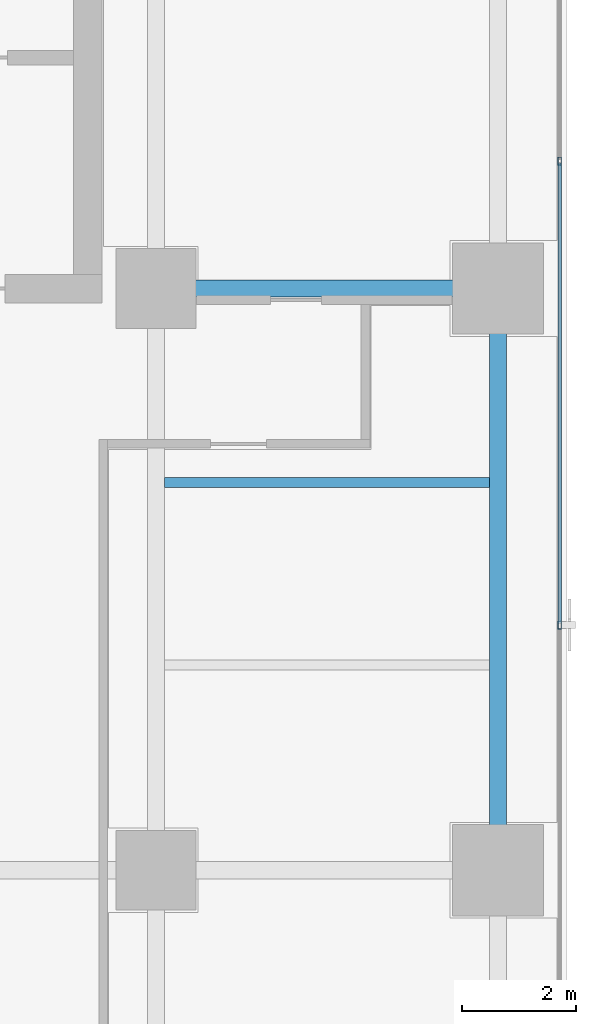
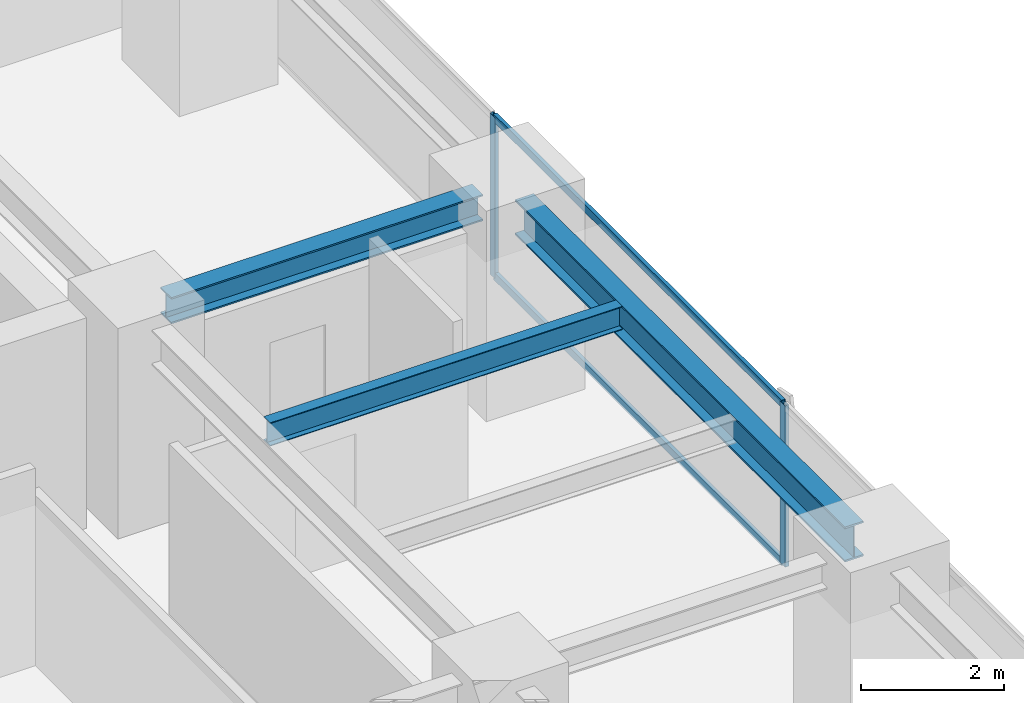
# One storey, part 17 of 28: 4 members, 3 beams, 1 element without a shape of its own.
"""IFC4 building model written with IfcOpenShell, lengths in metres."""

from ifc_helpers import new_model, si_unit, direction, frame, origin, origin_2d, place, context, subcontext, project, spatial, hollow_rectangle, i_section, extrude, source, transform, mapped, material, layer, layer_set, material_profile, profile_set, type_object, element, aggregate, save


model = new_model("IFC4")

# Units and contexts
model_context = context("Model", 3, precision=1e-05, world=origin(), true_north=direction((0.0, 1.0)))
body_context = subcontext(model_context, "Body", "Model", "MODEL_VIEW")
ifc_project = project(units=[si_unit("LENGTHUNIT", "METRE"), si_unit("AREAUNIT", "SQUARE_METRE"), si_unit("VOLUMEUNIT", "CUBIC_METRE"), si_unit("PLANEANGLEUNIT", "RADIAN"), si_unit("MASSUNIT", "GRAM", prefix="KILO")], contexts=[model_context])

# Site, building, storey
site_placement = place(None, origin())
site = spatial("IfcSite", under=ifc_project, at=site_placement, CompositionType="ELEMENT")
building_placement = place(site_placement, origin())
building = spatial("IfcBuilding", under=site, at=building_placement, Name="Sumidabori Civic Tower", CompositionType="ELEMENT")
storey_placement = place(building_placement, frame((0.0, 0.0, 210.800048828125)))
storey = spatial("IfcBuildingStorey", under=building, at=storey_placement, Name="L54", CompositionType="ELEMENT", Elevation=210.800048828125)

# Beams
ifc_material_1 = material(Name="Steel SN490", Category="steel")
ifc_material_profile_1 = material_profile(ifc_material_1, i_section(OverallWidth=0.300048828125, OverallDepth=0.60009765625, WebThickness=0.015380859375, FlangeThickness=0.030029296875, at=origin_2d()), Name="HE 600 B")
ifc_profile_set_1 = profile_set([ifc_material_profile_1], Name="Steel SN490")
beam_type_1 = type_object("IfcBeamType", Name="BM-GIRD-600", PredefinedType="BEAM", material=ifc_profile_set_1)
shared_shape_1 = source(origin(), body_context, "Body", "SweptSolid", [
    extrude(i_section(OverallWidth=0.300048828125, OverallDepth=0.60009765625, WebThickness=0.015380859375, FlangeThickness=0.030029296875, at=origin_2d()), origin(), (0.0, 0.0, 1.0), 9.239990234375),
])
beam_1_placement = place(storey_placement, frame((22.800048828125, 0.47998046875, 3.079833984375), z_axis=(0.0, 1.0, 0.0), x_axis=(-1.0, 0.0, 0.0)))
element("IfcBeam", 1, at=beam_1_placement, inside=storey, type_object=beam_type_1, Name="Primary Girder L54 GY-23", PredefinedType="BEAM", context=body_context, shape_type="MappedRepresentation", body=[
    mapped(shared_shape_1, transform((0.0, 0.0, 0.0), x_axis=(1.0, 0.0, 0.0), y_axis=(0.0, 1.0, 0.0), z_axis=(0.0, 0.0, 1.0), scale=1.0)),
])
ifc_material_profile_2 = material_profile(ifc_material_1, i_section(OverallWidth=0.179931640625, OverallDepth=0.39990234375, WebThickness=0.008544921875, FlangeThickness=0.013427734375, at=origin_2d()), Name="IPE 400")
ifc_profile_set_2 = profile_set([ifc_material_profile_2], Name="Steel SN490")
beam_type_2 = type_object("IfcBeamType", Name="BM-JST-400", PredefinedType="JOIST", material=ifc_profile_set_2)
shared_shape_2 = source(origin(), body_context, "Body", "SweptSolid", [
    extrude(i_section(OverallWidth=0.179931640625, OverallDepth=0.39990234375, WebThickness=0.008544921875, FlangeThickness=0.013427734375, at=origin_2d()), origin(), (0.0, 0.0, 1.0), 5.699951171875),
])
beam_2_placement = place(storey_placement, frame((16.949951171875, 6.800048828125, 3.179931640625), z_axis=(1.0, 0.0, 0.0), x_axis=(0.0, 1.0, 0.0)))
element("IfcBeam", 2, at=beam_2_placement, inside=storey, type_object=beam_type_2, Name="Outer Bay Floor Joist L54 JSTO-32", PredefinedType="JOIST", context=body_context, shape_type="MappedRepresentation", body=[
    mapped(shared_shape_2, transform((0.0, 0.0, 0.0), x_axis=(1.0, 0.0, 0.0), y_axis=(0.0, 1.0, 0.0), z_axis=(0.0, 0.0, 1.0), scale=1.0)),
])
ifc_material_profile_3 = material_profile(ifc_material_1, i_section(OverallWidth=0.300048828125, OverallDepth=0.449951171875, WebThickness=0.013916015625, FlangeThickness=0.02587890625, at=origin_2d()), Name="HE 450 B")
ifc_profile_set_3 = profile_set([ifc_material_profile_3], Name="Steel SN490")
beam_type_3 = type_object("IfcBeamType", Name="BM-GIRD-450", PredefinedType="BEAM", material=ifc_profile_set_3)
shared_shape_3 = source(origin(), body_context, "Body", "SweptSolid", [
    extrude(i_section(OverallWidth=0.300048828125, OverallDepth=0.449951171875, WebThickness=0.013916015625, FlangeThickness=0.02587890625, at=origin_2d()), origin(), (0.0, 0.0, 1.0), 5.0400390625),
])
beam_3_placement = place(storey_placement, frame((17.280029296875, 10.199951171875, 3.155029296875), z_axis=(1.0, 0.0, 0.0), x_axis=(0.0, 1.0, 0.0)))
element("IfcBeam", 3, at=beam_3_placement, inside=storey, type_object=beam_type_3, Name="Primary Girder L54 GX-10", PredefinedType="BEAM", context=body_context, shape_type="MappedRepresentation", body=[
    mapped(shared_shape_3, transform((0.0, 0.0, 0.0), x_axis=(1.0, 0.0, 0.0), y_axis=(0.0, 1.0, 0.0), z_axis=(0.0, 0.0, 1.0), scale=1.0)),
])

# Curtain wall, members
ifc_material_2 = material(Name="Anodised Bronze Aluminium AW-6063-T6", Category="aluminium")
ifc_layer = layer(ifc_material_2, 0.179931640625, Name="Anodised Bronze Aluminium AW-6063-T6")
ifc_layer_set = layer_set([ifc_layer], Name="Anodised Bronze Aluminium AW-6063-T6")
curtain_wall_type = type_object("IfcCurtainWallType", Name="CW-SYS-5", PredefinedType="NOTDEFINED", material=ifc_layer_set)
curtain_wall_placement = place(storey_placement, origin())
curtain_wall = element("IfcCurtainWall", 4, at=curtain_wall_placement, inside=storey, type_object=curtain_wall_type, Name="Curtain Wall CW:L54:R10", PredefinedType="NOTDEFINED")
ifc_material_profile_4 = material_profile(ifc_material_2, hollow_rectangle(XDim=0.06005859375, YDim=0.139892578125, WallThickness=0.0048828125, at=origin_2d()), Name="ALU MULLION 140x60")
ifc_profile_set_4 = profile_set([ifc_material_profile_4], Name="Anodised Bronze Aluminium AW-6063-T6")
member_type_1 = type_object("IfcMemberType", Name="CW-MUL-140", PredefinedType="MULLION", material=ifc_profile_set_4)
shared_shape_4 = source(origin(), body_context, "Body", "SweptSolid", [
    extrude(hollow_rectangle(XDim=0.06005859375, YDim=0.139892578125, WallThickness=0.0048828125, at=origin_2d()), origin(), (0.0, 0.0, 1.0), 2.760009765625),
])
member_1_placement = place(storey_placement, frame((23.8798828125, 4.300048828125, 0.0), z_axis=(0.0, 0.0, 1.0), x_axis=(-1.0, 0.0, 0.0)))
member_1 = element("IfcMember", 5, at=member_1_placement, type_object=member_type_1, Name="CW-5 mullion 3", PredefinedType="MULLION", context=body_context, shape_type="MappedRepresentation", body=[
    mapped(shared_shape_4, transform((0.0, 0.0, 0.0), x_axis=(1.0, 0.0, 0.0), y_axis=(0.0, 1.0, 0.0), z_axis=(0.0, 0.0, 1.0), scale=1.0)),
])
member_2_placement = place(storey_placement, frame((23.8798828125, 12.43505859375, 0.0), z_axis=(0.0, 0.0, 1.0), x_axis=(-1.0, 0.0, 0.0)))
member_2 = element("IfcMember", 6, at=member_2_placement, type_object=member_type_1, Name="CW-5 mullion 4", PredefinedType="MULLION", context=body_context, shape_type="MappedRepresentation", body=[
    mapped(shared_shape_4, transform((0.0, 0.0, 0.0), x_axis=(1.0, 0.0, 0.0), y_axis=(0.0, 1.0, 0.0), z_axis=(0.0, 0.0, 1.0), scale=1.0)),
])
ifc_material_profile_5 = material_profile(ifc_material_2, hollow_rectangle(XDim=0.06005859375, YDim=0.1298828125, WallThickness=0.0048828125, at=origin_2d()), Name="ALU TRANSOM 130x60")
ifc_profile_set_5 = profile_set([ifc_material_profile_5], Name="Anodised Bronze Aluminium AW-6063-T6")
member_type_2 = type_object("IfcMemberType", Name="CW-TRN-130", PredefinedType="USERDEFINED", material=ifc_profile_set_5)
shared_shape_5 = source(origin(), body_context, "Body", "SweptSolid", [
    extrude(hollow_rectangle(XDim=0.06005859375, YDim=0.1298828125, WallThickness=0.0048828125, at=origin_2d()), origin(), (0.0, 0.0, 1.0), 8.074951171875),
])
member_3_placement = place(storey_placement, frame((23.8798828125, 4.330078125, 0.030029296875), z_axis=(0.0, 1.0, 0.0), x_axis=(-1.0, 0.0, 0.0)))
member_3 = element("IfcMember", 7, at=member_3_placement, type_object=member_type_2, Name="CW-5 transom 3.1", ObjectType="TRANSOM", PredefinedType="USERDEFINED", context=body_context, shape_type="MappedRepresentation", body=[
    mapped(shared_shape_5, transform((0.0, 0.0, 0.0), x_axis=(1.0, 0.0, 0.0), y_axis=(0.0, 1.0, 0.0), z_axis=(0.0, 0.0, 1.0), scale=1.0)),
])
member_4_placement = place(storey_placement, frame((23.8798828125, 4.330078125, 2.72998046875), z_axis=(0.0, 1.0, 0.0), x_axis=(-1.0, 0.0, 0.0)))
member_4 = element("IfcMember", 8, at=member_4_placement, type_object=member_type_2, Name="CW-5 transom 3.2", ObjectType="TRANSOM", PredefinedType="USERDEFINED", context=body_context, shape_type="MappedRepresentation", body=[
    mapped(shared_shape_5, transform((0.0, 0.0, 0.0), x_axis=(1.0, 0.0, 0.0), y_axis=(0.0, 1.0, 0.0), z_axis=(0.0, 0.0, 1.0), scale=1.0)),
])
aggregate(curtain_wall, [member_1, member_2, member_3, member_4])

save(model, "model.ifc")
